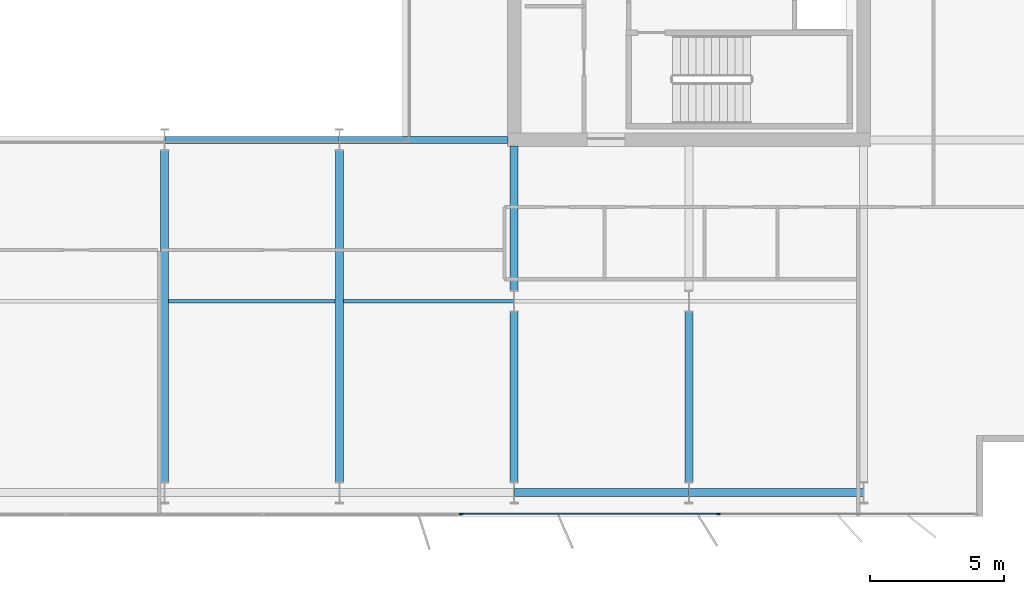
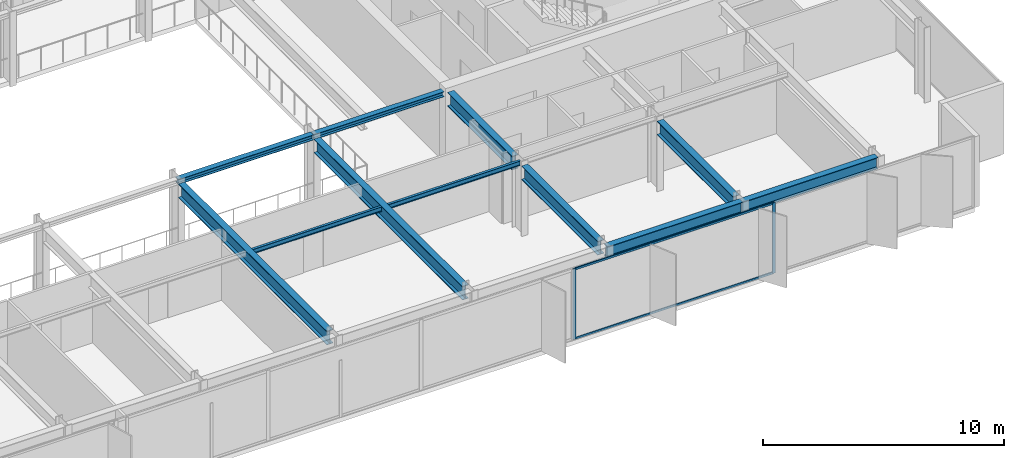
# One storey, part 7 of 23: 11 beams, 4 members, 1 element without a shape of its own.
"""IFC4 building model written with IfcOpenShell, lengths in metres."""

from ifc_helpers import new_model, si_unit, direction, frame, origin, origin_2d, place, context, subcontext, project, spatial, rectangle, i_section, extrude, material, layer, layer_set, material_profile, profile_set, type_object, element, aggregate, save


model = new_model("IFC4")

# Units and contexts
model_context = context("Model", 3, precision=1e-05, world=origin(), true_north=direction((0.0, 1.0)))
body_context = subcontext(model_context, "Body", "Model", "MODEL_VIEW")
ifc_project = project(units=[si_unit("LENGTHUNIT", "METRE"), si_unit("AREAUNIT", "SQUARE_METRE"), si_unit("VOLUMEUNIT", "CUBIC_METRE"), si_unit("PLANEANGLEUNIT", "RADIAN"), si_unit("MASSUNIT", "GRAM", prefix="KILO")], contexts=[model_context])

# Site, building, storey
site_placement = place(None, origin())
site = spatial("IfcSite", under=ifc_project, at=site_placement, CompositionType="ELEMENT")
building_placement = place(site_placement, origin())
building = spatial("IfcBuilding", under=site, at=building_placement, Name="Putna Gate Headquarters", CompositionType="ELEMENT")
storey_placement = place(building_placement, frame((0.0, 0.0, 221.39990234375)))
storey = spatial("IfcBuildingStorey", under=building, at=storey_placement, Name="L55", CompositionType="ELEMENT", Elevation=221.39990234375)

# Beams
ifc_material_1 = material(Name="Steel S355J2", Category="steel")
ifc_material_profile_1 = material_profile(ifc_material_1, i_section(OverallWidth=0.260009765625, OverallDepth=0.260009765625, WebThickness=0.010009765625, FlangeThickness=0.017578125, at=origin_2d()), Name="Steel S355J2")
ifc_profile_set_1 = profile_set([ifc_material_profile_1], Name="Steel S355J2")
beam_type_1 = type_object("IfcBeamType", Name="BM-ATRIUM-HEB260", PredefinedType="BEAM", material=ifc_profile_set_1)
beam_1_placement = place(storey_placement, frame((39.006103515625, 19.0, 3.4501953125), z_axis=(1.0, 0.0, 0.0), x_axis=(0.0, 1.0, 0.0)))
element("IfcBeam", 1, at=beam_1_placement, inside=storey, type_object=beam_type_1, Name="L55 Atrium Edge Beam AS3", PredefinedType="BEAM", context=body_context, shape_type="SweptSolid", body=[
    extrude(i_section(OverallWidth=0.260009765625, OverallDepth=0.260009765625, WebThickness=0.010009765625, FlangeThickness=0.017578125, at=origin_2d()), origin(), (0.0, 0.0, 1.0), 6.48779296875),
])
beam_2_placement = place(storey_placement, frame((45.506103515625, 19.0, 3.4501953125), z_axis=(1.0, 0.0, 0.0), x_axis=(0.0, 1.0, 0.0)))
element("IfcBeam", 2, at=beam_2_placement, inside=storey, type_object=beam_type_1, Name="L55 Atrium Edge Beam AS4", PredefinedType="BEAM", context=body_context, shape_type="SweptSolid", body=[
    extrude(i_section(OverallWidth=0.260009765625, OverallDepth=0.260009765625, WebThickness=0.010009765625, FlangeThickness=0.017578125, at=origin_2d()), origin(), (0.0, 0.0, 1.0), 6.2587890625),
])
ifc_material_profile_2 = material_profile(ifc_material_1, i_section(OverallWidth=0.300048828125, OverallDepth=0.699951171875, WebThickness=0.01708984375, FlangeThickness=0.031982421875, at=origin_2d()), Name="Steel S355J2")
ifc_profile_set_2 = profile_set([ifc_material_profile_2], Name="Steel S355J2")
beam_type_2 = type_object("IfcBeamType", Name="BM-GIRD-B-HEB700", PredefinedType="USERDEFINED", material=ifc_profile_set_2)
for number, where, z_axis, x_axis, name in (
    (3, (39.0, 6.27490234375, 3.22998046875), (0.0, 1.0, 0.0), (-1.0, 0.0, 0.0), "L55 South Primary Girder X39"),
    (4, (45.5, 6.27490234375, 3.22998046875), (0.0, 1.0, 0.0), (-1.0, 0.0, 0.0), "L55 South Primary Girder X45"),
):
    element("IfcBeam", number, at=place(storey_placement, frame(where, z_axis=z_axis, x_axis=x_axis)), inside=storey, type_object=beam_type_2, Name=name, ObjectType="GIRDER", PredefinedType="USERDEFINED", context=body_context, shape_type="SweptSolid", body=[
        extrude(i_section(OverallWidth=0.300048828125, OverallDepth=0.699951171875, WebThickness=0.01708984375, FlangeThickness=0.031982421875, at=origin_2d()), origin(), (0.0, 0.0, 1.0), 12.330078125),
    ])
beam_3_placement = place(storey_placement, frame((52.0, 6.27490234375, 3.22998046875), z_axis=(0.0, 1.0, 0.0), x_axis=(-1.0, 0.0, 0.0)))
element("IfcBeam", 5, at=beam_3_placement, inside=storey, type_object=beam_type_2, Name="L55 South Primary Girder X52-1", ObjectType="GIRDER", PredefinedType="USERDEFINED", context=body_context, shape_type="SweptSolid", body=[
    extrude(i_section(OverallWidth=0.300048828125, OverallDepth=0.699951171875, WebThickness=0.01708984375, FlangeThickness=0.031982421875, at=origin_2d()), origin(), (0.0, 0.0, 1.0), 6.330078125),
])
beam_4_placement = place(storey_placement, frame((52.0, 13.39501953125, 3.22998046875), z_axis=(0.0, 1.0, 0.0), x_axis=(-1.0, 0.0, 0.0)))
element("IfcBeam", 6, at=beam_4_placement, inside=storey, type_object=beam_type_2, Name="L55 South Primary Girder X52-2", ObjectType="GIRDER", PredefinedType="USERDEFINED", context=body_context, shape_type="SweptSolid", body=[
    extrude(i_section(OverallWidth=0.300048828125, OverallDepth=0.699951171875, WebThickness=0.01708984375, FlangeThickness=0.031982421875, at=origin_2d()), origin(), (0.0, 0.0, 1.0), 5.369873046875),
])
beam_5_placement = place(storey_placement, frame((58.5, 6.27490234375, 3.22998046875), z_axis=(0.0, 1.0, 0.0), x_axis=(-1.0, 0.0, 0.0)))
element("IfcBeam", 7, at=beam_5_placement, inside=storey, type_object=beam_type_2, Name="L55 South Primary Girder X58-1", ObjectType="GIRDER", PredefinedType="USERDEFINED", context=body_context, shape_type="SweptSolid", body=[
    extrude(i_section(OverallWidth=0.300048828125, OverallDepth=0.699951171875, WebThickness=0.01708984375, FlangeThickness=0.031982421875, at=origin_2d()), origin(), (0.0, 0.0, 1.0), 6.330078125),
])
ifc_material_profile_3 = material_profile(ifc_material_1, i_section(OverallWidth=0.1201171875, OverallDepth=0.239990234375, WebThickness=0.006103515625, FlangeThickness=0.009765625, at=origin_2d()), Name="Steel S355J2")
ifc_profile_set_3 = profile_set([ifc_material_profile_3], Name="Steel S355J2")
beam_type_3 = type_object("IfcBeamType", Name="BM-SEC-Z4-IPE240", PredefinedType="JOIST", material=ifc_profile_set_3)
beam_6_placement = place(storey_placement, frame((39.154052734375, 13.0, 3.460205078125), z_axis=(1.0, 0.0, 0.0), x_axis=(0.0, 1.0, 0.0)))
element("IfcBeam", 8, at=beam_6_placement, inside=storey, type_object=beam_type_3, Name="L55 South Secondary Beam 5", PredefinedType="JOIST", context=body_context, shape_type="SweptSolid", body=[
    extrude(i_section(OverallWidth=0.1201171875, OverallDepth=0.239990234375, WebThickness=0.006103515625, FlangeThickness=0.009765625, at=origin_2d()), origin(), (0.0, 0.0, 1.0), 6.19189453125),
])
beam_7_placement = place(storey_placement, frame((45.654052734375, 13.0, 3.460205078125), z_axis=(1.0, 0.0, 0.0), x_axis=(0.0, 1.0, 0.0)))
element("IfcBeam", 9, at=beam_7_placement, inside=storey, type_object=beam_type_3, Name="L55 South Secondary Beam 6", PredefinedType="JOIST", context=body_context, shape_type="SweptSolid", body=[
    extrude(i_section(OverallWidth=0.1201171875, OverallDepth=0.239990234375, WebThickness=0.006103515625, FlangeThickness=0.009765625, at=origin_2d()), origin(), (0.0, 0.0, 1.0), 6.33984375),
])
ifc_material_profile_4 = material_profile(ifc_material_1, i_section(OverallWidth=0.300048828125, OverallDepth=0.590087890625, WebThickness=0.012939453125, FlangeThickness=0.02490234375, at=origin_2d()), Name="Steel S355J2")
ifc_profile_set_4 = profile_set([ifc_material_profile_4], Name="Steel S355J2")
beam_type_4 = type_object("IfcBeamType", Name="BM-SPAN-Z4-HEA600", PredefinedType="SPANDREL", material=ifc_profile_set_4)
for number, where, z_axis, x_axis, name in (
    (10, (52.006103515625, 5.8798828125, 3.28515625), (1.0, 0.0, 0.0), (0.0, 1.0, 0.0), "L55 S Perimeter Spandrel 7"),
    (11, (58.506103515625, 5.8798828125, 3.28515625), (1.0, 0.0, 0.0), (0.0, 1.0, 0.0), "L55 S Perimeter Spandrel 8"),
):
    element("IfcBeam", number, at=place(storey_placement, frame(where, z_axis=z_axis, x_axis=x_axis)), inside=storey, type_object=beam_type_4, Name=name, PredefinedType="SPANDREL", context=body_context, shape_type="SweptSolid", body=[
        extrude(i_section(OverallWidth=0.300048828125, OverallDepth=0.590087890625, WebThickness=0.012939453125, FlangeThickness=0.02490234375, at=origin_2d()), origin(), (0.0, 0.0, 1.0), 6.48779296875),
    ])

# Curtain wall, members
ifc_material_2 = material(Name="Anodised bronze aluminium curtain wall", Category="aluminium")
ifc_layer = layer(ifc_material_2, 0.139892578125)
ifc_layer_set = layer_set([ifc_layer], Name="Anodised bronze aluminium curtain wall")
curtain_wall_type = type_object("IfcCurtainWallType", Name="CW-SYS-Z4", PredefinedType="USERDEFINED", material=ifc_layer_set)
curtain_wall_placement = place(storey_placement, origin())
curtain_wall = element("IfcCurtainWall", 12, at=curtain_wall_placement, inside=storey, type_object=curtain_wall_type, Name="L55 South East Curtain Wall", ObjectType="STICK CURTAIN WALL", PredefinedType="USERDEFINED")
ifc_material_3 = material(Name="Anodised bronze aluminium EN AW-6060", Category="aluminium")
ifc_material_profile_5 = material_profile(ifc_material_3, rectangle(XDim=0.06005859375, YDim=0.139892578125, at=origin_2d()), Name="Anodised bronze aluminium EN AW-6060")
ifc_profile_set_5 = profile_set([ifc_material_profile_5], Name="Anodised bronze aluminium EN AW-6060")
member_type_1 = type_object("IfcMemberType", Name="MULL-CWM-4", PredefinedType="MULLION", material=ifc_profile_set_5)
member_1_placement = place(storey_placement, frame((50.030029296875, 5.080078125, 0.0), z_axis=(0.0, 0.0, 1.0), x_axis=(0.0, 1.0, 0.0)))
member_1 = element("IfcMember", 13, at=member_1_placement, type_object=member_type_1, Name="CWS-4 mullion 1", PredefinedType="MULLION", context=body_context, shape_type="SweptSolid", body=[
    extrude(rectangle(XDim=0.06005859375, YDim=0.139892578125, at=origin_2d()), origin(), (0.0, 0.0, 1.0), 3.580078125),
])
member_2_placement = place(storey_placement, frame((59.60009765625, 5.080078125, 0.0), z_axis=(0.0, 0.0, 1.0), x_axis=(0.0, 1.0, 0.0)))
member_2 = element("IfcMember", 14, at=member_2_placement, type_object=member_type_1, Name="CWS-4 mullion 2", PredefinedType="MULLION", context=body_context, shape_type="SweptSolid", body=[
    extrude(rectangle(XDim=0.06005859375, YDim=0.139892578125, at=origin_2d()), origin(), (0.0, 0.0, 1.0), 3.580078125),
])
ifc_material_profile_6 = material_profile(ifc_material_3, rectangle(XDim=0.06005859375, YDim=0.10009765625, at=origin_2d()), Name="Anodised bronze aluminium EN AW-6060")
ifc_profile_set_6 = profile_set([ifc_material_profile_6], Name="Anodised bronze aluminium EN AW-6060")
member_type_2 = type_object("IfcMemberType", Name="TRAN-CWT-4", PredefinedType="USERDEFINED", material=ifc_profile_set_6)
member_3_placement = place(storey_placement, frame((50.06005859375, 5.080078125, 0.030029296875), z_axis=(1.0, 0.0, 0.0), x_axis=(0.0, 1.0, 0.0)))
member_3 = element("IfcMember", 15, at=member_3_placement, type_object=member_type_2, Name="CWS-4 transom 1.1", ObjectType="TRANSOM", PredefinedType="USERDEFINED", context=body_context, shape_type="SweptSolid", body=[
    extrude(rectangle(XDim=0.06005859375, YDim=0.10009765625, at=origin_2d()), origin(), (0.0, 0.0, 1.0), 9.510009765625),
])
member_4_placement = place(storey_placement, frame((50.06005859375, 5.080078125, 3.550048828125), z_axis=(1.0, 0.0, 0.0), x_axis=(0.0, 1.0, 0.0)))
member_4 = element("IfcMember", 16, at=member_4_placement, type_object=member_type_2, Name="CWS-4 transom 1.2", ObjectType="TRANSOM", PredefinedType="USERDEFINED", context=body_context, shape_type="SweptSolid", body=[
    extrude(rectangle(XDim=0.06005859375, YDim=0.10009765625, at=origin_2d()), origin(), (0.0, 0.0, 1.0), 9.510009765625),
])
aggregate(curtain_wall, [member_1, member_2, member_3, member_4])

save(model, "model.ifc")
